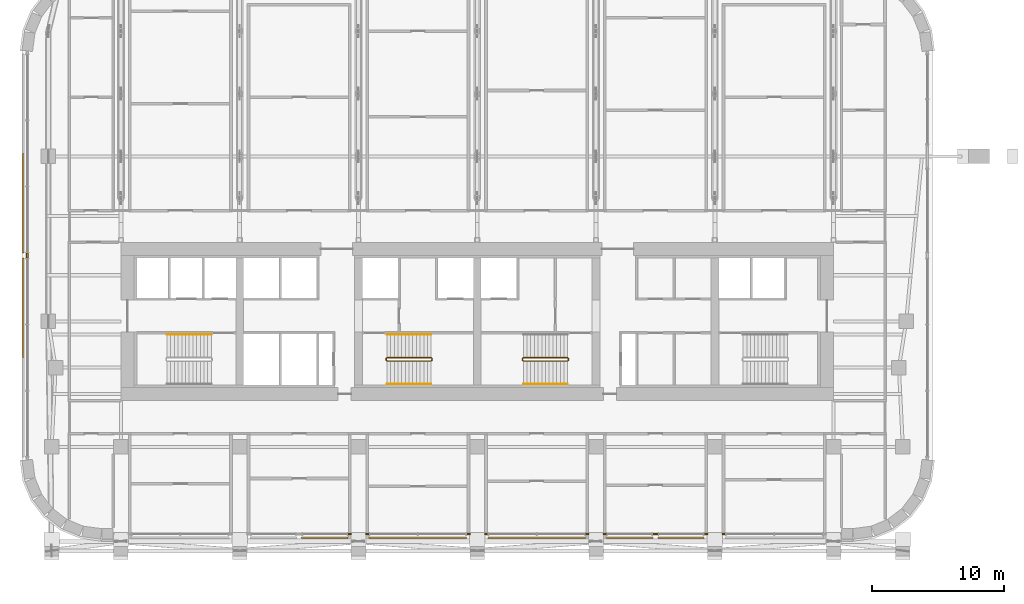
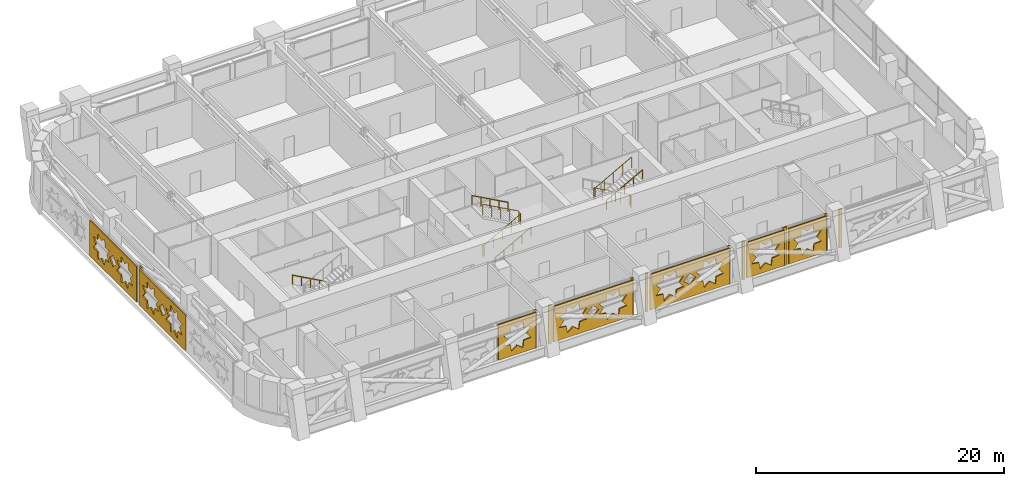
# One storey, part 20 of 27: 17 coverings, 6 railings.
"""IFC4 building model written with IfcOpenShell, lengths in metres."""

from ifc_helpers import new_model, si_unit, direction, frame, origin, origin_2d, place, context, subcontext, project, spatial, polyline, rectangle, circle, outline, extrude, material, layer, layer_set, type_object, element, save


model = new_model("IFC4")

# Units and contexts
model_context = context("Model", 3, precision=1e-05, world=origin(), true_north=direction((0.0, 1.0)))
body_context = subcontext(model_context, "Body", "Model", "MODEL_VIEW")
ifc_project = project(units=[si_unit("LENGTHUNIT", "METRE"), si_unit("AREAUNIT", "SQUARE_METRE"), si_unit("VOLUMEUNIT", "CUBIC_METRE"), si_unit("PLANEANGLEUNIT", "RADIAN"), si_unit("MASSUNIT", "GRAM", prefix="KILO")], contexts=[model_context])

# Site, building, storey
site_placement = place(None, origin())
site = spatial("IfcSite", under=ifc_project, at=site_placement, CompositionType="ELEMENT")
building_placement = place(site_placement, origin())
building = spatial("IfcBuilding", under=site, at=building_placement, Name="Zellij Exchange Tower", CompositionType="ELEMENT")
storey_placement = place(building_placement, frame((0.0, 0.0, 104.5)))
storey = spatial("IfcBuildingStorey", under=building, at=storey_placement, Name="L22", CompositionType="ELEMENT", Elevation=104.5)

# Railings
ifc_material_1 = material(Name="Stainless steel", Category="steel")
railing_type_1 = type_object("IfcRailingType", Name="CORE-RG stair guard", PredefinedType="GUARDRAIL", material=ifc_material_1)
railing_1_placement = place(storey_placement, frame((-6.89990234375, -10.949951171875, 0.0)))
element("IfcRailing", 1, at=railing_1_placement, inside=storey, type_object=railing_type_1, Name="ST2 stair guard L22", PredefinedType="GUARDRAIL", context=body_context, shape_type="SweptSolid", body=[
    extrude(circle(Radius=0.02392578125, at=origin_2d()), frame((0.0, 0.0, 1.076171875), z_axis=(0.0, 1.0, 0.0), x_axis=(-1.0, 0.0, 0.0)), (0.0, 0.0, 1.0), 0.14990234375),
    extrude(circle(Radius=0.02392578125, at=origin_2d()), frame((0.0, 0.14990234375, 1.076171875), z_axis=(0.193691321961, -0.777613689637, 0.598164376644), x_axis=(0.970351222016, 0.241699205484, 0.0)), (0.0, 0.0, 1.0), 0.257080078125),
    extrude(circle(Radius=0.02392578125, at=origin_2d()), frame((0.0498046875, -0.050048828125, 1.22998046875), z_axis=(0.876421534553, 0.0, 0.481544695509), x_axis=(0.0, 1.0, 0.0)), (0.0, 0.0, 1.0), 3.833984375),
    extrude(circle(Radius=0.02392578125, at=origin_2d()), frame((3.409912109375, -0.050048828125, 3.076171875), z_axis=(0.707106781187, 0.707106781187, 0.0), x_axis=(-0.707106781187, 0.707106781187, 0.0)), (0.0, 0.0, 1.0), 0.07080078125),
    extrude(circle(Radius=0.02392578125, at=origin_2d()), frame((3.4599609375, 0.0, 3.076171875), z_axis=(0.0, 1.0, 0.0), x_axis=(-1.0, 0.0, 0.0)), (0.0, 0.0, 1.0), 0.14990234375),
    extrude(circle(Radius=0.02392578125, at=origin_2d()), frame((3.4599609375, 0.14990234375, 3.076171875), z_axis=(-0.295599637079, 0.295599637079, 0.908428152975), x_axis=(-0.707106781187, -0.707106781187, 0.0)), (0.0, 0.0, 1.0), 0.16943359375),
    extrude(circle(Radius=0.02392578125, at=origin_2d()), frame((3.409912109375, 0.199951171875, 3.22998046875), z_axis=(-0.876421534553, 0.0, 0.481544695509), x_axis=(0.0, -1.0, 0.0)), (0.0, 0.0, 1.0), 3.833984375),
    extrude(circle(Radius=0.02099609375, at=origin_2d()), origin(), (0.0, 0.0, 1.0), 1.052001953125),
    extrude(circle(Radius=0.02099609375, at=origin_2d()), frame((0.0, 0.14990234375, 0.0)), (0.0, 0.0, 1.0), 1.052001953125),
    extrude(circle(Radius=0.02099609375, at=origin_2d()), frame((0.0498046875, -0.050048828125, 0.15380859375)), (0.0, 0.0, 1.0), 1.052001953125),
    extrude(circle(Radius=0.02099609375, at=origin_2d()), frame((0.889892578125, -0.050048828125, 0.615234375)), (0.0, 0.0, 1.0), 1.052001953125),
    extrude(circle(Radius=0.02099609375, at=origin_2d()), frame((1.72998046875, -0.050048828125, 1.076904296875)), (0.0, 0.0, 1.0), 1.052001953125),
    extrude(circle(Radius=0.02099609375, at=origin_2d()), frame((2.56982421875, -0.050048828125, 1.53857421875)), (0.0, 0.0, 1.0), 1.052001953125),
    extrude(circle(Radius=0.02099609375, at=origin_2d()), frame((3.409912109375, -0.050048828125, 2.0)), (0.0, 0.0, 1.0), 1.052001953125),
    extrude(circle(Radius=0.02099609375, at=origin_2d()), frame((3.4599609375, 0.0, 2.0)), (0.0, 0.0, 1.0), 1.052001953125),
    extrude(circle(Radius=0.02099609375, at=origin_2d()), frame((3.4599609375, 0.14990234375, 2.0)), (0.0, 0.0, 1.0), 1.052001953125),
    extrude(circle(Radius=0.02099609375, at=origin_2d()), frame((3.409912109375, 0.199951171875, 2.15380859375)), (0.0, 0.0, 1.0), 1.052001953125),
    extrude(circle(Radius=0.02099609375, at=origin_2d()), frame((2.56982421875, 0.199951171875, 2.615234375)), (0.0, 0.0, 1.0), 1.052001953125),
    extrude(circle(Radius=0.02099609375, at=origin_2d()), frame((1.72998046875, 0.199951171875, 3.076904296875)), (0.0, 0.0, 1.0), 1.052001953125),
    extrude(circle(Radius=0.02099609375, at=origin_2d()), frame((0.889892578125, 0.199951171875, 3.53857421875)), (0.0, 0.0, 1.0), 1.052001953125),
    extrude(circle(Radius=0.02099609375, at=origin_2d()), frame((0.0498046875, 0.199951171875, 4.0)), (0.0, 0.0, 1.0), 1.052001953125),
])
railing_2_placement = place(storey_placement, frame((6.89990234375, -10.800048828125, 0.0)))
element("IfcRailing", 2, at=railing_2_placement, inside=storey, type_object=railing_type_1, Name="ST3 stair guard L22", PredefinedType="GUARDRAIL", context=body_context, shape_type="SweptSolid", body=[
    extrude(circle(Radius=0.02392578125, at=origin_2d()), frame((0.0, 0.0, 1.076171875), z_axis=(0.0, -1.0, 0.0), x_axis=(1.0, 0.0, 0.0)), (0.0, 0.0, 1.0), 0.14990234375),
    extrude(circle(Radius=0.02392578125, at=origin_2d()), frame((0.0, -0.14990234375, 1.076171875), z_axis=(-0.193691321961, 0.777613689637, 0.598164376644), x_axis=(-0.970351222016, -0.241699205484, 0.0)), (0.0, 0.0, 1.0), 0.257080078125),
    extrude(circle(Radius=0.02392578125, at=origin_2d()), frame((-0.0498046875, 0.050048828125, 1.22998046875), z_axis=(-0.876421534553, 0.0, 0.481544695509), x_axis=(0.0, -1.0, 0.0)), (0.0, 0.0, 1.0), 3.833984375),
    extrude(circle(Radius=0.02392578125, at=origin_2d()), frame((-3.409912109375, 0.050048828125, 3.076171875), z_axis=(-0.707106781187, -0.707106781187, 0.0), x_axis=(0.707106781187, -0.707106781187, 0.0)), (0.0, 0.0, 1.0), 0.07080078125),
    extrude(circle(Radius=0.02392578125, at=origin_2d()), frame((-3.4599609375, 0.0, 3.076171875), z_axis=(0.0, -1.0, 0.0), x_axis=(1.0, 0.0, 0.0)), (0.0, 0.0, 1.0), 0.14990234375),
    extrude(circle(Radius=0.02392578125, at=origin_2d()), frame((-3.4599609375, -0.14990234375, 3.076171875), z_axis=(0.295599637079, -0.295599637079, 0.908428152975), x_axis=(0.707106781187, 0.707106781187, 0.0)), (0.0, 0.0, 1.0), 0.16943359375),
    extrude(circle(Radius=0.02392578125, at=origin_2d()), frame((-3.409912109375, -0.199951171875, 3.22998046875), z_axis=(0.876421534553, 0.0, 0.481544695509), x_axis=(0.0, 1.0, 0.0)), (0.0, 0.0, 1.0), 3.833984375),
    extrude(circle(Radius=0.02099609375, at=origin_2d()), origin(), (0.0, 0.0, 1.0), 1.052001953125),
    extrude(circle(Radius=0.02099609375, at=origin_2d()), frame((0.0, -0.14990234375, 0.0)), (0.0, 0.0, 1.0), 1.052001953125),
    extrude(circle(Radius=0.02099609375, at=origin_2d()), frame((-0.0498046875, 0.050048828125, 0.15380859375)), (0.0, 0.0, 1.0), 1.052001953125),
    extrude(circle(Radius=0.02099609375, at=origin_2d()), frame((-0.889892578125, 0.050048828125, 0.615234375)), (0.0, 0.0, 1.0), 1.052001953125),
    extrude(circle(Radius=0.02099609375, at=origin_2d()), frame((-1.72998046875, 0.050048828125, 1.076904296875)), (0.0, 0.0, 1.0), 1.052001953125),
    extrude(circle(Radius=0.02099609375, at=origin_2d()), frame((-2.56982421875, 0.050048828125, 1.53857421875)), (0.0, 0.0, 1.0), 1.052001953125),
    extrude(circle(Radius=0.02099609375, at=origin_2d()), frame((-3.409912109375, 0.050048828125, 2.0)), (0.0, 0.0, 1.0), 1.052001953125),
    extrude(circle(Radius=0.02099609375, at=origin_2d()), frame((-3.4599609375, 0.0, 2.0)), (0.0, 0.0, 1.0), 1.052001953125),
    extrude(circle(Radius=0.02099609375, at=origin_2d()), frame((-3.4599609375, -0.14990234375, 2.0)), (0.0, 0.0, 1.0), 1.052001953125),
    extrude(circle(Radius=0.02099609375, at=origin_2d()), frame((-3.409912109375, -0.199951171875, 2.15380859375)), (0.0, 0.0, 1.0), 1.052001953125),
    extrude(circle(Radius=0.02099609375, at=origin_2d()), frame((-2.56982421875, -0.199951171875, 2.615234375)), (0.0, 0.0, 1.0), 1.052001953125),
    extrude(circle(Radius=0.02099609375, at=origin_2d()), frame((-1.72998046875, -0.199951171875, 3.076904296875)), (0.0, 0.0, 1.0), 1.052001953125),
    extrude(circle(Radius=0.02099609375, at=origin_2d()), frame((-0.889892578125, -0.199951171875, 3.53857421875)), (0.0, 0.0, 1.0), 1.052001953125),
    extrude(circle(Radius=0.02099609375, at=origin_2d()), frame((-0.0498046875, -0.199951171875, 4.0)), (0.0, 0.0, 1.0), 1.052001953125),
])
railing_type_2 = type_object("IfcRailingType", Name="CORE-RH stair handrail", PredefinedType="HANDRAIL", material=ifc_material_1)
railing_3_placement = place(storey_placement, frame((-20.14990234375, -9.0, 0.15380859375)))
element("IfcRailing", 3, at=railing_3_placement, inside=storey, type_object=railing_type_2, Name="ST1 stair handrail L22", PredefinedType="HANDRAIL", context=body_context, shape_type="SweptSolid", body=[
    extrude(circle(Radius=0.02392578125, at=origin_2d()), frame((0.0, 0.0, 0.8759765625), z_axis=(-0.876421534553, 0.0, 0.481544695509), x_axis=(0.0, -1.0, 0.0)), (0.0, 0.0, 1.0), 3.833984375),
    extrude(circle(Radius=0.02099609375, at=origin_2d()), origin(), (0.0, 0.0, 1.0), 0.851806640625),
    extrude(circle(Radius=0.02099609375, at=origin_2d()), frame((-0.840087890625, 0.0, 0.46142578125)), (0.0, 0.0, 1.0), 0.851806640625),
    extrude(circle(Radius=0.02099609375, at=origin_2d()), frame((-1.68017578125, 0.0, 0.923095703125)), (0.0, 0.0, 1.0), 0.851806640625),
    extrude(circle(Radius=0.02099609375, at=origin_2d()), frame((-2.52001953125, 0.0, 1.384765625)), (0.0, 0.0, 1.0), 0.851806640625),
    extrude(circle(Radius=0.02099609375, at=origin_2d()), frame((-3.360107421875, 0.0, 1.84619140625)), (0.0, 0.0, 1.0), 0.851806640625),
])
railing_4_placement = place(storey_placement, frame((-6.85009765625, -12.75, 0.15380859375)))
element("IfcRailing", 4, at=railing_4_placement, inside=storey, type_object=railing_type_2, Name="ST2 stair handrail L22", PredefinedType="HANDRAIL", context=body_context, shape_type="SweptSolid", body=[
    extrude(circle(Radius=0.02392578125, at=origin_2d()), frame((0.0, 0.0, 0.8759765625), z_axis=(0.876421534553, 0.0, 0.481544695509), x_axis=(0.0, 1.0, 0.0)), (0.0, 0.0, 1.0), 3.833984375),
    extrude(circle(Radius=0.02099609375, at=origin_2d()), origin(), (0.0, 0.0, 1.0), 0.851806640625),
    extrude(circle(Radius=0.02099609375, at=origin_2d()), frame((0.840087890625, 0.0, 0.46142578125)), (0.0, 0.0, 1.0), 0.851806640625),
    extrude(circle(Radius=0.02099609375, at=origin_2d()), frame((1.68017578125, 0.0, 0.923095703125)), (0.0, 0.0, 1.0), 0.851806640625),
    extrude(circle(Radius=0.02099609375, at=origin_2d()), frame((2.52001953125, 0.0, 1.384765625)), (0.0, 0.0, 1.0), 0.851806640625),
    extrude(circle(Radius=0.02099609375, at=origin_2d()), frame((3.360107421875, 0.0, 1.84619140625)), (0.0, 0.0, 1.0), 0.851806640625),
])
railing_5_placement = place(storey_placement, frame((-3.489990234375, -9.0, 2.15380859375)))
element("IfcRailing", 5, at=railing_5_placement, inside=storey, type_object=railing_type_2, Name="ST2 stair handrail L22", PredefinedType="HANDRAIL", context=body_context, shape_type="SweptSolid", body=[
    extrude(circle(Radius=0.02392578125, at=origin_2d()), frame((0.0, 0.0, 0.8759765625), z_axis=(-0.876421534553, 0.0, 0.481544695509), x_axis=(0.0, -1.0, 0.0)), (0.0, 0.0, 1.0), 3.833984375),
    extrude(circle(Radius=0.02099609375, at=origin_2d()), origin(), (0.0, 0.0, 1.0), 0.851806640625),
    extrude(circle(Radius=0.02099609375, at=origin_2d()), frame((-0.840087890625, 0.0, 0.46142578125)), (0.0, 0.0, 1.0), 0.851806640625),
    extrude(circle(Radius=0.02099609375, at=origin_2d()), frame((-1.68017578125, 0.0, 0.923095703125)), (0.0, 0.0, 1.0), 0.851806640625),
    extrude(circle(Radius=0.02099609375, at=origin_2d()), frame((-2.52001953125, 0.0, 1.384765625)), (0.0, 0.0, 1.0), 0.851806640625),
    extrude(circle(Radius=0.02099609375, at=origin_2d()), frame((-3.360107421875, 0.0, 1.84619140625)), (0.0, 0.0, 1.0), 0.851806640625),
])
railing_6_placement = place(storey_placement, frame((3.489990234375, -12.75, 2.15380859375)))
element("IfcRailing", 6, at=railing_6_placement, inside=storey, type_object=railing_type_2, Name="ST3 stair handrail L22", PredefinedType="HANDRAIL", context=body_context, shape_type="SweptSolid", body=[
    extrude(circle(Radius=0.02392578125, at=origin_2d()), frame((0.0, 0.0, 0.8759765625), z_axis=(0.876421534553, 0.0, 0.481544695509), x_axis=(0.0, 1.0, 0.0)), (0.0, 0.0, 1.0), 3.833984375),
    extrude(circle(Radius=0.02099609375, at=origin_2d()), origin(), (0.0, 0.0, 1.0), 0.851806640625),
    extrude(circle(Radius=0.02099609375, at=origin_2d()), frame((0.840087890625, 0.0, 0.46142578125)), (0.0, 0.0, 1.0), 0.851806640625),
    extrude(circle(Radius=0.02099609375, at=origin_2d()), frame((1.68017578125, 0.0, 0.923095703125)), (0.0, 0.0, 1.0), 0.851806640625),
    extrude(circle(Radius=0.02099609375, at=origin_2d()), frame((2.52001953125, 0.0, 1.384765625)), (0.0, 0.0, 1.0), 0.851806640625),
    extrude(circle(Radius=0.02099609375, at=origin_2d()), frame((3.360107421875, 0.0, 1.84619140625)), (0.0, 0.0, 1.0), 0.851806640625),
])

# Coverings
ifc_material_2 = material(Name="Limestone cladding", Category="masonry")
ifc_layer_1 = layer(ifc_material_2, 0.1201171875)
ifc_layer_set_1 = layer_set([ifc_layer_1], Name="Limestone cladding")
covering_type_1 = type_object("IfcCoveringType", Name="ENV-CV18 Glazing closer 120", PredefinedType="CLADDING", material=ifc_layer_set_1)
for number, where, z_axis, x_axis, name in (
    (7, (13.5, -24.10009765625, 0.0), (0.0, 0.0, 1.0), (1.0, 0.0, 0.0), "Glazing closer"),
    (8, (-34.10009765625, -3.0, 0.0), (0.0, 0.0, 1.0), (0.0, -1.0, 0.0), "Glazing closer"),
):
    element("IfcCovering", number, at=place(storey_placement, frame(where, z_axis=z_axis, x_axis=x_axis)), inside=storey, type_object=covering_type_1, Name=name, PredefinedType="CLADDING", context=body_context, shape_type="SweptSolid", body=[
        extrude(rectangle(XDim=0.39990234375, YDim=0.1201171875, at=origin_2d()), origin(), (0.0, 0.0, 1.0), 3.800048828125),
    ])
for number, where, z_axis, x_axis, name in (
    (9, (8.324951171875, -24.10009765625, 0.0), (0.0, 0.0, 1.0), (1.0, 0.0, 0.0), "Glazing closer"),
    (10, (9.675048828125, -24.10009765625, 0.0), (0.0, 0.0, 1.0), (-1.0, 0.0, 0.0), "Glazing closer"),
    (11, (17.324951171875, -24.10009765625, 0.0), (0.0, 0.0, 1.0), (1.0, 0.0, 0.0), "Glazing closer"),
    (12, (18.675048828125, -24.10009765625, 0.0), (0.0, 0.0, 1.0), (-1.0, 0.0, 0.0), "Glazing closer"),
    (13, (-0.675048828125, -24.10009765625, 0.0), (0.0, 0.0, 1.0), (1.0, 0.0, 0.0), "Glazing closer"),
    (14, (0.675048828125, -24.10009765625, 0.0), (0.0, 0.0, 1.0), (-1.0, 0.0, 0.0), "Glazing closer"),
    (15, (-9.675048828125, -24.10009765625, 0.0), (0.0, 0.0, 1.0), (1.0, 0.0, 0.0), "Glazing closer"),
    (16, (-8.324951171875, -24.10009765625, 0.0), (0.0, 0.0, 1.0), (-1.0, 0.0, 0.0), "Glazing closer"),
):
    element("IfcCovering", number, at=place(storey_placement, frame(where, z_axis=z_axis, x_axis=x_axis)), inside=storey, type_object=covering_type_1, Name=name, PredefinedType="CLADDING", context=body_context, shape_type="SweptSolid", body=[
        extrude(rectangle(XDim=0.25, YDim=0.1201171875, at=origin_2d()), origin(), (0.0, 0.0, 1.0), 3.800048828125),
    ])
ifc_material_3 = material(Name="Limestone screen", Category="masonry")
ifc_layer_2 = layer(ifc_material_3, 0.1201171875)
ifc_layer_set_2 = layer_set([ifc_layer_2], Name="Limestone screen")
covering_type_2 = type_object("IfcCoveringType", Name="ENV-SC1 Pierced stone screen 120", PredefinedType="USERDEFINED", material=ifc_layer_set_2)
covering_1_placement = place(storey_placement, frame((-13.300048828125, -24.39990234375, 0.300048828125), z_axis=(0.0, 0.0, 1.0), x_axis=(1.0, 0.0, 0.0)))
element("IfcCovering", 17, at=covering_1_placement, inside=storey, type_object=covering_type_2, Name="Pierced stone screen", ObjectType="SCREEN", PredefinedType="USERDEFINED", context=body_context, shape_type="SweptSolid", body=[
    extrude(outline(polyline([(0.0, 0.0), (3.5, 0.0), (3.5, 3.5), (0.0, 3.5), (0.0, 0.0)]), holes=[polyline([(3.04345703125, 2.285888671875), (2.36376953125, 2.36376953125), (2.28564453125, 3.04345703125), (1.75, 2.617919921875), (1.214111328125, 3.04345703125), (1.13623046875, 2.36376953125), (0.45654296875, 2.285888671875), (0.882080078125, 1.75), (0.45654296875, 1.214111328125), (1.13623046875, 1.13623046875), (1.214111328125, 0.45654296875), (1.75, 0.882080078125), (2.28564453125, 0.45654296875), (2.36376953125, 1.13623046875), (3.04345703125, 1.214111328125), (2.617919921875, 1.75), (3.04345703125, 2.285888671875)])]), frame((0.0, 0.06005859375, 0.0), z_axis=(0.0, -1.0, 0.0), x_axis=(1.0, 0.0, 0.0)), (0.0, 0.0, 1.0), 0.1201171875),
])
for number, where, z_axis, x_axis, name in (
    (18, (-8.199951171875, -24.39990234375, 0.300048828125), (0.0, 0.0, 1.0), (1.0, 0.0, 0.0), "Pierced stone screen"),
    (19, (0.800048828125, -24.39990234375, 0.300048828125), (0.0, 0.0, 1.0), (1.0, 0.0, 0.0), "Pierced stone screen"),
):
    element("IfcCovering", number, at=place(storey_placement, frame(where, z_axis=z_axis, x_axis=x_axis)), inside=storey, type_object=covering_type_2, Name=name, ObjectType="SCREEN", PredefinedType="USERDEFINED", context=body_context, shape_type="SweptSolid", body=[
        extrude(outline(polyline([(0.0, 0.0), (7.39990234375, 0.0), (7.39990234375, 3.5), (0.0, 3.5), (0.0, 0.0)]), holes=[polyline([(3.143310546875, 2.285888671875), (2.4638671875, 2.36376953125), (2.3857421875, 3.04345703125), (1.85009765625, 2.617919921875), (1.314208984375, 3.04345703125), (1.236083984375, 2.36376953125), (0.556640625, 2.285888671875), (0.98193359375, 1.75), (0.556640625, 1.214111328125), (1.236083984375, 1.13623046875), (1.314208984375, 0.45654296875), (1.85009765625, 0.882080078125), (2.3857421875, 0.45654296875), (2.4638671875, 1.13623046875), (3.143310546875, 1.214111328125), (2.718017578125, 1.75), (3.143310546875, 2.285888671875)]), polyline([(6.843505859375, 2.285888671875), (6.163818359375, 2.36376953125), (6.085693359375, 3.04345703125), (5.550048828125, 2.617919921875), (5.01416015625, 3.04345703125), (4.936279296875, 2.36376953125), (4.256591796875, 2.285888671875), (4.681884765625, 1.75), (4.256591796875, 1.214111328125), (4.936279296875, 1.13623046875), (5.01416015625, 0.45654296875), (5.550048828125, 0.882080078125), (6.085693359375, 0.45654296875), (6.163818359375, 1.13623046875), (6.843505859375, 1.214111328125), (6.41796875, 1.75), (6.843505859375, 2.285888671875)]), polyline([(4.260009765625, 1.75), (3.699951171875, 2.31005859375), (3.139892578125, 1.75), (3.699951171875, 1.18994140625), (4.260009765625, 1.75)])]), frame((0.0, 0.06005859375, 0.0), z_axis=(0.0, -1.0, 0.0), x_axis=(1.0, 0.0, 0.0)), (0.0, 0.0, 1.0), 0.1201171875),
    ])
covering_2_placement = place(storey_placement, frame((9.800048828125, -24.39990234375, 0.300048828125), z_axis=(0.0, 0.0, 1.0), x_axis=(1.0, 0.0, 0.0)))
element("IfcCovering", 20, at=covering_2_placement, inside=storey, type_object=covering_type_2, Name="Pierced stone screen", ObjectType="SCREEN", PredefinedType="USERDEFINED", context=body_context, shape_type="SweptSolid", body=[
    extrude(outline(polyline([(0.0, 0.0), (3.5, 0.0), (3.5, 3.5), (0.0, 3.5), (0.0, 0.0)]), holes=[polyline([(3.04345703125, 2.285888671875), (2.36376953125, 2.36376953125), (2.285888671875, 3.04345703125), (1.75, 2.617919921875), (1.214111328125, 3.04345703125), (1.13623046875, 2.36376953125), (0.45654296875, 2.285888671875), (0.882080078125, 1.75), (0.45654296875, 1.214111328125), (1.13623046875, 1.13623046875), (1.214111328125, 0.45654296875), (1.75, 0.882080078125), (2.285888671875, 0.45654296875), (2.36376953125, 1.13623046875), (3.04345703125, 1.214111328125), (2.617919921875, 1.75), (3.04345703125, 2.285888671875)])]), frame((0.0, 0.06005859375, 0.0), z_axis=(0.0, -1.0, 0.0), x_axis=(1.0, 0.0, 0.0)), (0.0, 0.0, 1.0), 0.1201171875),
])
covering_3_placement = place(storey_placement, frame((13.699951171875, -24.39990234375, 0.300048828125), z_axis=(0.0, 0.0, 1.0), x_axis=(1.0, 0.0, 0.0)))
element("IfcCovering", 21, at=covering_3_placement, inside=storey, type_object=covering_type_2, Name="Pierced stone screen", ObjectType="SCREEN", PredefinedType="USERDEFINED", context=body_context, shape_type="SweptSolid", body=[
    extrude(outline(polyline([(0.0, 0.0), (3.5, 0.0), (3.5, 3.5), (0.0, 3.5), (0.0, 0.0)]), holes=[polyline([(3.04345703125, 2.285888671875), (2.36376953125, 2.36376953125), (2.28564453125, 3.04345703125), (1.75, 2.617919921875), (1.214111328125, 3.04345703125), (1.13623046875, 2.36376953125), (0.45654296875, 2.285888671875), (0.882080078125, 1.75), (0.45654296875, 1.214111328125), (1.13623046875, 1.13623046875), (1.214111328125, 0.45654296875), (1.75, 0.882080078125), (2.28564453125, 0.45654296875), (2.36376953125, 1.13623046875), (3.04345703125, 1.214111328125), (2.617919921875, 1.75), (3.04345703125, 2.285888671875)])]), frame((0.0, 0.06005859375, 0.0), z_axis=(0.0, -1.0, 0.0), x_axis=(1.0, 0.0, 0.0)), (0.0, 0.0, 1.0), 0.1201171875),
])
covering_4_placement = place(storey_placement, frame((-34.39990234375, 4.73681640625, 0.300048828125), z_axis=(0.0, 0.0, 1.0), x_axis=(0.0, -1.0, 0.0)))
element("IfcCovering", 22, at=covering_4_placement, inside=storey, type_object=covering_type_2, Name="Pierced stone screen", ObjectType="SCREEN", PredefinedType="USERDEFINED", context=body_context, shape_type="SweptSolid", body=[
    extrude(outline(polyline([(0.0, 0.0), (7.536865234375, 0.0), (7.536865234375, 3.5), (0.0, 3.5), (0.0, 0.0)]), holes=[polyline([(3.177734375, 2.285888671875), (2.498046875, 2.36376953125), (2.419921875, 3.04345703125), (1.88427734375, 2.617919921875), (1.348388671875, 3.04345703125), (1.2705078125, 2.36376953125), (0.5908203125, 2.285888671875), (1.01611328125, 1.75), (0.5908203125, 1.214111328125), (1.2705078125, 1.13623046875), (1.348388671875, 0.45654296875), (1.88427734375, 0.882080078125), (2.419921875, 0.45654296875), (2.498046875, 1.13623046875), (3.177734375, 1.214111328125), (2.752197265625, 1.75), (3.177734375, 2.285888671875)]), polyline([(6.946044921875, 2.285888671875), (6.266357421875, 2.36376953125), (6.1884765625, 3.04345703125), (5.652587890625, 2.617919921875), (5.116943359375, 3.04345703125), (5.038818359375, 2.36376953125), (4.359130859375, 2.285888671875), (4.78466796875, 1.75), (4.359130859375, 1.214111328125), (5.038818359375, 1.13623046875), (5.116943359375, 0.45654296875), (5.652587890625, 0.882080078125), (6.1884765625, 0.45654296875), (6.266357421875, 1.13623046875), (6.946044921875, 1.214111328125), (6.520751953125, 1.75), (6.946044921875, 2.285888671875)]), polyline([(4.32861328125, 1.75), (3.7685546875, 2.31005859375), (3.20849609375, 1.75), (3.7685546875, 1.18994140625), (4.32861328125, 1.75)])]), frame((0.0, 0.06005859375, 0.0), z_axis=(0.0, -1.0, 0.0), x_axis=(1.0, 0.0, 0.0)), (0.0, 0.0, 1.0), 0.1201171875),
])
covering_5_placement = place(storey_placement, frame((-34.39990234375, -3.199951171875, 0.300048828125), z_axis=(0.0, 0.0, 1.0), x_axis=(0.0, -1.0, 0.0)))
element("IfcCovering", 23, at=covering_5_placement, inside=storey, type_object=covering_type_2, Name="Pierced stone screen", ObjectType="SCREEN", PredefinedType="USERDEFINED", context=body_context, shape_type="SweptSolid", body=[
    extrude(outline(polyline([(0.0, 0.0), (7.536865234375, 0.0), (7.536865234375, 3.5), (0.0, 3.5), (0.0, 0.0)]), holes=[polyline([(3.177734375, 2.285888671875), (2.498046875, 2.36376953125), (2.419921875, 3.04345703125), (1.88427734375, 2.617919921875), (1.348388671875, 3.04345703125), (1.2705078125, 2.36376953125), (0.5908203125, 2.285888671875), (1.01611328125, 1.75), (0.5908203125, 1.214111328125), (1.2705078125, 1.13623046875), (1.348388671875, 0.45654296875), (1.88427734375, 0.882080078125), (2.419921875, 0.45654296875), (2.498046875, 1.13623046875), (3.177734375, 1.214111328125), (2.752197265625, 1.75), (3.177734375, 2.285888671875)]), polyline([(6.946044921875, 2.285888671875), (6.266357421875, 2.36376953125), (6.1884765625, 3.04345703125), (5.652587890625, 2.617919921875), (5.116943359375, 3.04345703125), (5.038818359375, 2.36376953125), (4.359130859375, 2.285888671875), (4.78466796875, 1.75), (4.359130859375, 1.214111328125), (5.038818359375, 1.13623046875), (5.116943359375, 0.45654296875), (5.652587890625, 0.882080078125), (6.1884765625, 0.45654296875), (6.266357421875, 1.13623046875), (6.946044921875, 1.214111328125), (6.520751953125, 1.75), (6.946044921875, 2.285888671875)]), polyline([(4.328369140625, 1.75), (3.768310546875, 2.31005859375), (3.20849609375, 1.75), (3.768310546875, 1.18994140625), (4.328369140625, 1.75)])]), frame((0.0, 0.06005859375, 0.0), z_axis=(0.0, -1.0, 0.0), x_axis=(1.0, 0.0, 0.0)), (0.0, 0.0, 1.0), 0.1201171875),
])

save(model, "model.ifc")
